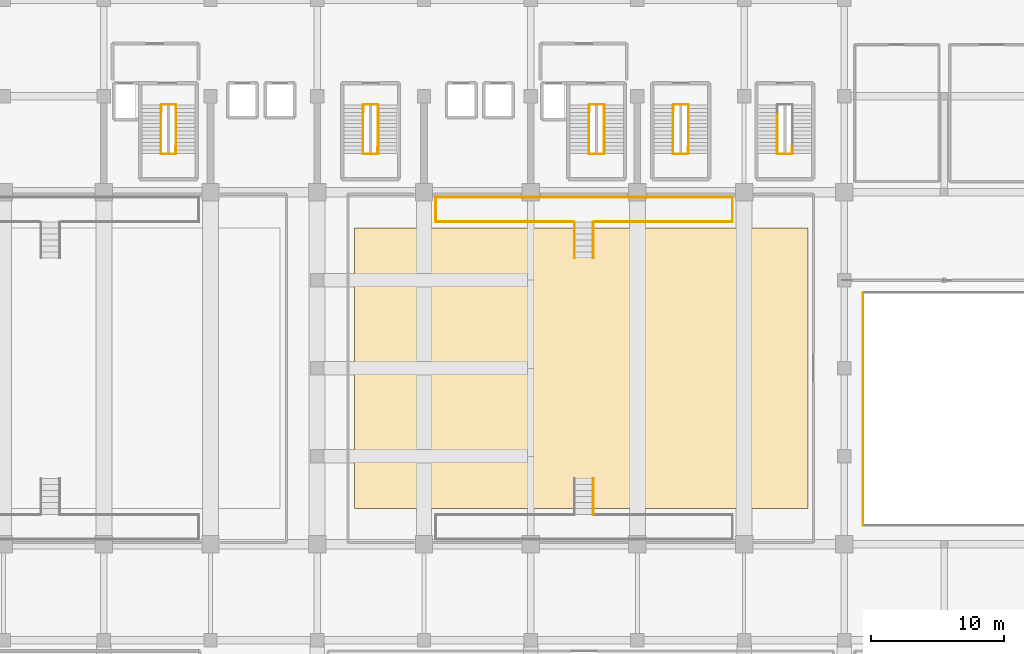
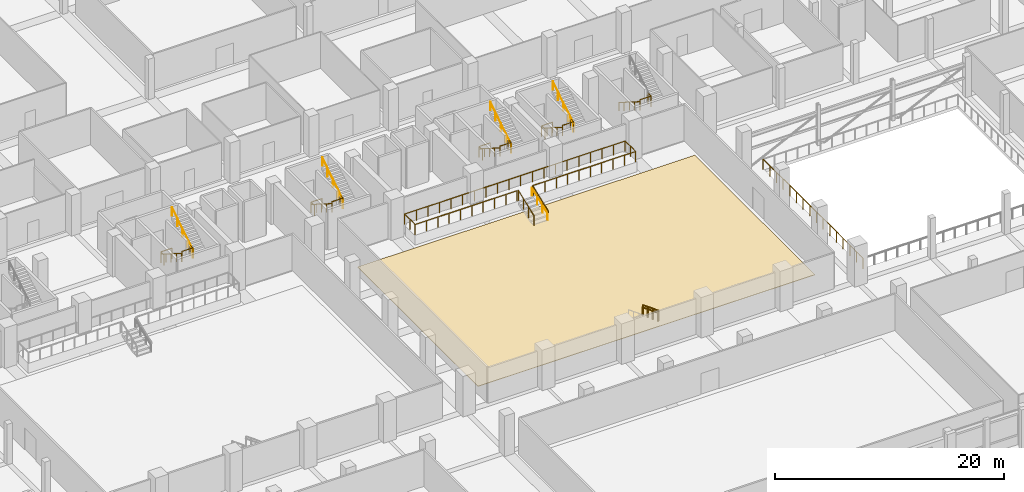
# One storey, part 61 of 68: 29 railings, 1 covering.
"""IFC4 building model written with IfcOpenShell, lengths in metres."""

import ifcopenshell
import ifcopenshell.guid

model = None  # the IFC model being written
_history = None  # IfcOwnerHistory: only IFC2X3 demands one
_inside = {}  # id of a spatial element -> (the spatial element, [elements in it])
_under = {}  # id of a project, library or spatial element -> (it, [spatial elements below it])
_declared = {}  # id of a project -> (the project, [libraries it declares])
_typed = {}  # id of a type object -> (the type object, [elements of that type])
_made_of = {}  # id of a material, layer set ... -> (it, [elements and type objects made of it])


def new_model(schema):
    """Start an empty IFC model of exactly this schema.

    Asked for "IFC4X3", IfcOpenShell would pick the latest addendum, in which some entities
    have other attributes; the version numbers below select the first issue.
    IFC2X3 requires an IfcOwnerHistory on every rooted entity: one is made here for all.
    """
    global model, _history
    if schema == "IFC4X3":
        model = ifcopenshell.file(schema_version=(4, 3, 0, 0))
    else:
        model = ifcopenshell.file(schema=schema)
    _inside.clear()
    _under.clear()
    _declared.clear()
    _typed.clear()
    _made_of.clear()
    _history = None
    if model.schema == "IFC2X3":
        org = make("IfcOrganization", Name="unknown")
        user = make(
            "IfcPersonAndOrganization",
            ThePerson=make("IfcPerson", FamilyName="unknown"),
            TheOrganization=org,
        )
        app = make(
            "IfcApplication",
            ApplicationDeveloper=org,
            Version="unknown",
            ApplicationFullName="unknown",
            ApplicationIdentifier="unknown",
        )
        _history = make(
            "IfcOwnerHistory",
            OwningUser=user,
            OwningApplication=app,
            ChangeAction="ADDED",
            CreationDate=0,
        )
    return model


def make(cls, **values):
    """One entity of the class cls with the attributes given. An attribute that is None is left unset."""
    return model.create_entity(
        cls, **{name: value for name, value in values.items() if value is not None}
    )


def rooted(cls, **values):
    """An entity with a GlobalId (a new one), such as an element, a storey or a relation."""
    return make(cls, GlobalId=ifcopenshell.guid.new(), OwnerHistory=_history, **values)


def si_unit(unit_type, name, prefix=None):
    """IfcSIUnit, for example si_unit("LENGTHUNIT", "METRE", prefix="MILLI")."""
    return make("IfcSIUnit", UnitType=unit_type, Prefix=prefix, Name=name)


def assignment(units):
    """IfcUnitAssignment: the units of a project."""
    return None if units is None else make("IfcUnitAssignment", Units=units)


def point(xyz):
    """IfcCartesianPoint."""
    return None if xyz is None else make("IfcCartesianPoint", Coordinates=xyz)


def direction(xyz):
    """IfcDirection."""
    return None if xyz is None else make("IfcDirection", DirectionRatios=xyz)


def frame(location, z_axis=None, x_axis=None):
    """IfcAxis2Placement3D, a coordinate frame: its origin and axes. An axis left out is left unset."""
    return make(
        "IfcAxis2Placement3D",
        Location=point(location),
        Axis=direction(z_axis),
        RefDirection=direction(x_axis),
    )


def frame_2d(location, x_axis=None):
    """IfcAxis2Placement2D, a coordinate frame in the plane: its origin and x axis."""
    return make(
        "IfcAxis2Placement2D", Location=point(location), RefDirection=direction(x_axis)
    )


def origin():
    """The frame at (0, 0, 0) with its axes left unset."""
    return frame((0.0, 0.0, 0.0))


def origin_2d():
    """The frame at (0, 0) in the plane with its x axis left unset."""
    return frame_2d((0.0, 0.0))


def place(relative_to, where):
    """IfcLocalPlacement: puts the frame where relative to a parent placement (None: the world)."""
    return make(
        "IfcLocalPlacement", PlacementRelTo=relative_to, RelativePlacement=where
    )


def context(
    kind, dimensions, precision=None, world=None, true_north=None, identifier=None
):
    """IfcGeometricRepresentationContext, for example the 3D "Model" context."""
    return make(
        "IfcGeometricRepresentationContext",
        ContextIdentifier=identifier,
        ContextType=kind,
        CoordinateSpaceDimension=dimensions,
        Precision=precision,
        WorldCoordinateSystem=world,
        TrueNorth=true_north,
    )


def subcontext(parent, identifier, kind, view, scale=None):
    """IfcGeometricRepresentationSubContext, for example "Body" below "Model"."""
    return make(
        "IfcGeometricRepresentationSubContext",
        ContextIdentifier=identifier,
        ContextType=kind,
        ParentContext=parent,
        TargetScale=scale,
        TargetView=view,
    )


def project(units=None, contexts=None):
    """IfcProject with its units and contexts."""
    return rooted(
        "IfcProject",
        Name="project",
        RepresentationContexts=contexts,
        UnitsInContext=assignment(units),
    )


def spatial(cls, under=None, at=None, **own):
    """A site, building, storey or space (cls), placed at a placement, below another one or the project."""
    s = rooted(cls, ObjectPlacement=at, **own)
    if under is not None:
        _under.setdefault(under.id(), (under, []))[1].append(s)
    return s


def profile(cls, at=None, kind="AREA", **sizes):
    """A parametric profile (cls). Its sizes go by their IFC names, for example OverallWidth=200.0."""
    return make(cls, ProfileType=kind, Position=at, **sizes)


def rectangle(**sizes):
    """IfcRectangleProfileDef."""
    return profile("IfcRectangleProfileDef", **sizes)


def circle(**sizes):
    """IfcCircleProfileDef."""
    return profile("IfcCircleProfileDef", **sizes)


def extrude(swept, where, along, depth):
    """IfcExtrudedAreaSolid: the profile swept, set in the frame where, extruded along a direction by depth."""
    return make(
        "IfcExtrudedAreaSolid",
        SweptArea=swept,
        Position=where,
        ExtrudedDirection=direction(along),
        Depth=depth,
    )


def shape(context_of_items, identifier, shape_type, items):
    """IfcShapeRepresentation: the items that make up one representation, for example the "Body"."""
    return make(
        "IfcShapeRepresentation",
        ContextOfItems=context_of_items,
        RepresentationIdentifier=identifier,
        RepresentationType=shape_type,
        Items=items,
    )


def material(Name=None, Category=None):
    """IfcMaterial."""
    return make("IfcMaterial", Name=Name, Category=Category)


def layer(
    of_material, thickness, ventilated=None, Name=None, Category=None, Priority=None
):
    """IfcMaterialLayer: one layer of a wall or slab, of a material (None: an air gap)."""
    return make(
        "IfcMaterialLayer",
        Material=of_material,
        LayerThickness=thickness,
        IsVentilated=ventilated,
        Name=Name,
        Category=Category,
        Priority=Priority,
    )


def layer_set(layers, Name=None):
    """IfcMaterialLayerSet."""
    return make("IfcMaterialLayerSet", MaterialLayers=layers, LayerSetName=Name)


def made_of(thing, what):
    """Note that an element or type object is made of a material, layer set ...; save() writes the relation."""
    if what is not None:
        _made_of.setdefault(what.id(), (what, []))[1].append(thing)
    return thing


def type_object(cls, material=None, **own):
    """A type object (cls), such as IfcWallType, which elements share."""
    return made_of(rooted(cls, **own), material)


def element(
    cls,
    number,
    at=None,
    inside=None,
    cuts=None,
    type_object=None,
    material=None,
    context=None,
    identifier="Body",
    shape_type=None,
    held_by="IfcProductDefinitionShape",
    body=None,
    shapes=None,
    **own,
):
    """One element of the class cls, such as IfcWall. Its Tag is "e" and its number.

    at: its placement. inside: the storey or other place that contains it. cuts: it is an
    opening in that element (IfcRelVoidsElement). A single representation is given by context,
    identifier, shape_type and body (its items); several are given by shapes. held_by: the class
    of the entity that holds the representations. save() writes the other relations.
    """
    e = rooted(cls, Tag="e%d" % number, ObjectPlacement=at, **own)
    if body is not None:
        shapes = [shape(context, identifier, shape_type, body)]
    if shapes is not None:
        e.Representation = make(held_by, Representations=shapes)
    if inside is not None:
        _inside.setdefault(inside.id(), (inside, []))[1].append(e)
    if cuts is not None:
        rooted(
            "IfcRelVoidsElement", RelatingBuildingElement=cuts, RelatedOpeningElement=e
        )
    if type_object is not None:
        _typed.setdefault(type_object.id(), (type_object, []))[1].append(e)
    return made_of(e, material)


def aggregate(whole, parts):
    """IfcRelAggregates: a whole, such as a stair, and the parts it consists of."""
    return rooted("IfcRelAggregates", RelatingObject=whole, RelatedObjects=parts)


def save(model, path):
    """Write the relations noted so far, then the file.

    IfcRelAggregates (storeys below a building ...), IfcRelContainedInSpatialStructure (elements
    in a storey), IfcRelDefinesByType, IfcRelAssociatesMaterial and IfcRelDeclares: one each for
    every whole, place, type object, material and project.
    """
    for whole, parts in _under.values():
        aggregate(whole, parts)
    for where, things in _inside.values():
        rooted(
            "IfcRelContainedInSpatialStructure",
            RelatedElements=things,
            RelatingStructure=where,
        )
    for kind, things in _typed.values():
        rooted("IfcRelDefinesByType", RelatedObjects=things, RelatingType=kind)
    for what, things in _made_of.values():
        rooted("IfcRelAssociatesMaterial", RelatedObjects=things, RelatingMaterial=what)
    for by, libraries in _declared.values():
        rooted("IfcRelDeclares", RelatingContext=by, RelatedDefinitions=libraries)
    model.write(path)


model = new_model("IFC4")

# Units and contexts
model_context = context("Model", 3, precision=1e-05, world=origin(), true_north=direction((0.0, 1.0)))
body_context = subcontext(model_context, "Body", "Model", "MODEL_VIEW")
ifc_project = project(units=[si_unit("LENGTHUNIT", "METRE"), si_unit("AREAUNIT", "SQUARE_METRE"), si_unit("VOLUMEUNIT", "CUBIC_METRE"), si_unit("PLANEANGLEUNIT", "RADIAN"), si_unit("MASSUNIT", "GRAM", prefix="KILO")], contexts=[model_context])

# Site, building, storey
site_placement = place(None, origin())
site = spatial("IfcSite", under=ifc_project, at=site_placement, CompositionType="ELEMENT")
building_placement = place(site_placement, origin())
building = spatial("IfcBuilding", under=site, at=building_placement, Name="Akrevak Sports Hall", CompositionType="ELEMENT")
storey_placement = place(building_placement, frame((0.0, 0.0, 9.39990234375)))
storey = spatial("IfcBuildingStorey", under=building, at=storey_placement, Name="L02", CompositionType="ELEMENT", Elevation=9.39990234375)

# Covering
ifc_material_1 = material(Name="Sprung Hard Maple Sports Flooring", Category="wood")
ifc_layer_1 = layer(ifc_material_1, 0.044921875, Name="Sprung Hard Maple Sports Flooring")
ifc_layer_set_1 = layer_set([ifc_layer_1], Name="Sprung Hard Maple Sports Flooring")
covering_type = type_object("IfcCoveringType", Name="ARC-COV-FLR-MAPLE", PredefinedType="FLOORING", material=ifc_layer_set_1)
covering_placement = place(storey_placement, frame((95.800048828125, 42.0, 0.000244140625), z_axis=(0.0, 0.0, 1.0), x_axis=(1.0, 0.0, 0.0)))
element("IfcCovering", 1, at=covering_placement, inside=storey, type_object=covering_type, Name="FIVB Volleyball Sprung Maple Court Floor", PredefinedType="FLOORING", context=body_context, shape_type="SweptSolid", body=[
    extrude(rectangle(XDim=34.0, YDim=21.0, at=origin_2d()), origin(), (0.0, 0.0, 1.0), 0.044921875),
])

# Railings
ifc_material_2 = material(Name="Painted Architectural Balustrade Steel", Category="steel")
ifc_layer_2 = layer(ifc_material_2, 0.06005859375, Name="Painted Architectural Balustrade Steel")
ifc_layer_set_2 = layer_set([ifc_layer_2], Name="Painted Architectural Balustrade Steel")
railing_type_1 = type_object("IfcRailingType", Name="ARC-RL-GRD-1120", PredefinedType="GUARDRAIL", material=ifc_layer_set_2)
railing_1_placement = place(storey_placement, frame((64.31005859375, 61.215087890625, 0.0)))
element("IfcRailing", 2, at=railing_1_placement, inside=storey, type_object=railing_type_1, Name="Stair Floor Landing Well Guard ST1 (L02)", PredefinedType="GUARDRAIL", context=body_context, shape_type="SweptSolid", body=[
    extrude(circle(Radius=0.02392578125, at=origin_2d()), frame((0.0, 0.0, 1.09619140625), z_axis=(0.0, 1.0, 0.0), x_axis=(-1.0, 0.0, 0.0)), (0.0, 0.0, 1.0), 0.5498046875),
    extrude(circle(Radius=0.02392578125, at=origin_2d()), frame((0.0, 0.5498046875, 1.09619140625), z_axis=(1.0, 0.0, 0.0), x_axis=(0.0, 1.0, 0.0)), (0.0, 0.0, 1.0), 1.10986328125),
    extrude(circle(Radius=0.02099609375, at=origin_2d()), origin(), (0.0, 0.0, 1.0), 1.072021484375),
    extrude(circle(Radius=0.02099609375, at=origin_2d()), frame((0.0, 0.5498046875, 0.0)), (0.0, 0.0, 1.0), 1.072021484375),
    extrude(circle(Radius=0.02099609375, at=origin_2d()), frame((1.10986328125, 0.5498046875, 0.0)), (0.0, 0.0, 1.0), 1.072021484375),
])
railing_2_placement = place(storey_placement, frame((64.280029296875, 58.06494140625, 2.300048828125)))
element("IfcRailing", 3, at=railing_2_placement, inside=storey, type_object=railing_type_1, Name="Stair Landing Well Guard ST1-L02-1", PredefinedType="GUARDRAIL", context=body_context, shape_type="SweptSolid", body=[
    extrude(circle(Radius=0.02392578125, at=origin_2d()), frame((0.0, 0.0, 1.09619140625), z_axis=(1.0, 0.0, 0.0), x_axis=(0.0, 1.0, 0.0)), (0.0, 0.0, 1.0), 1.10986328125),
    extrude(circle(Radius=0.02392578125, at=origin_2d()), frame((1.10986328125, 0.0, 1.09619140625), z_axis=(0.0, 1.0, 0.0), x_axis=(-1.0, 0.0, 0.0)), (0.0, 0.0, 1.0), 0.52001953125),
    extrude(circle(Radius=0.02099609375, at=origin_2d()), origin(), (0.0, 0.0, 1.0), 1.072021484375),
    extrude(circle(Radius=0.02099609375, at=origin_2d()), frame((1.10986328125, 0.0, 0.0)), (0.0, 0.0, 1.0), 1.072021484375),
    extrude(circle(Radius=0.02099609375, at=origin_2d()), frame((1.10986328125, 0.52001953125, 0.0)), (0.0, 0.0, 1.0), 1.072021484375),
])
railing_3_placement = place(storey_placement, frame((96.409912109375, 61.215087890625, 0.0)))
element("IfcRailing", 4, at=railing_3_placement, inside=storey, type_object=railing_type_1, Name="Stair Floor Landing Well Guard ST2 (L02)", PredefinedType="GUARDRAIL", context=body_context, shape_type="SweptSolid", body=[
    extrude(circle(Radius=0.02392578125, at=origin_2d()), frame((0.0, 0.0, 1.09619140625), z_axis=(0.0, 1.0, 0.0), x_axis=(-1.0, 0.0, 0.0)), (0.0, 0.0, 1.0), 0.5498046875),
    extrude(circle(Radius=0.02392578125, at=origin_2d()), frame((0.0, 0.5498046875, 1.09619140625), z_axis=(1.0, 0.0, 0.0), x_axis=(0.0, 1.0, 0.0)), (0.0, 0.0, 1.0), 1.110107421875),
    extrude(circle(Radius=0.02099609375, at=origin_2d()), origin(), (0.0, 0.0, 1.0), 1.072021484375),
    extrude(circle(Radius=0.02099609375, at=origin_2d()), frame((0.0, 0.5498046875, 0.0)), (0.0, 0.0, 1.0), 1.072021484375),
    extrude(circle(Radius=0.02099609375, at=origin_2d()), frame((1.110107421875, 0.5498046875, 0.0)), (0.0, 0.0, 1.0), 1.072021484375),
])
railing_4_placement = place(storey_placement, frame((96.3798828125, 58.06494140625, 2.300048828125)))
element("IfcRailing", 5, at=railing_4_placement, inside=storey, type_object=railing_type_1, Name="Stair Landing Well Guard ST2-L02-1", PredefinedType="GUARDRAIL", context=body_context, shape_type="SweptSolid", body=[
    extrude(circle(Radius=0.02392578125, at=origin_2d()), frame((0.0, 0.0, 1.09619140625), z_axis=(1.0, 0.0, 0.0), x_axis=(0.0, 1.0, 0.0)), (0.0, 0.0, 1.0), 1.110107421875),
    extrude(circle(Radius=0.02392578125, at=origin_2d()), frame((1.110107421875, 0.0, 1.09619140625), z_axis=(0.0, 1.0, 0.0), x_axis=(-1.0, 0.0, 0.0)), (0.0, 0.0, 1.0), 0.52001953125),
    extrude(circle(Radius=0.02099609375, at=origin_2d()), origin(), (0.0, 0.0, 1.0), 1.072021484375),
    extrude(circle(Radius=0.02099609375, at=origin_2d()), frame((1.110107421875, 0.0, 0.0)), (0.0, 0.0, 1.0), 1.072021484375),
    extrude(circle(Radius=0.02099609375, at=origin_2d()), frame((1.110107421875, 0.52001953125, 0.0)), (0.0, 0.0, 1.0), 1.072021484375),
])
railing_5_placement = place(storey_placement, frame((79.4599609375, 61.215087890625, 0.0)))
element("IfcRailing", 6, at=railing_5_placement, inside=storey, type_object=railing_type_1, Name="Stair Floor Landing Well Guard ST3 (L02)", PredefinedType="GUARDRAIL", context=body_context, shape_type="SweptSolid", body=[
    extrude(circle(Radius=0.02392578125, at=origin_2d()), frame((0.0, 0.0, 1.09619140625), z_axis=(0.0, 1.0, 0.0), x_axis=(-1.0, 0.0, 0.0)), (0.0, 0.0, 1.0), 0.5498046875),
    extrude(circle(Radius=0.02392578125, at=origin_2d()), frame((0.0, 0.5498046875, 1.09619140625), z_axis=(1.0, 0.0, 0.0), x_axis=(0.0, 1.0, 0.0)), (0.0, 0.0, 1.0), 1.110107421875),
    extrude(circle(Radius=0.02099609375, at=origin_2d()), origin(), (0.0, 0.0, 1.0), 1.072021484375),
    extrude(circle(Radius=0.02099609375, at=origin_2d()), frame((0.0, 0.5498046875, 0.0)), (0.0, 0.0, 1.0), 1.072021484375),
    extrude(circle(Radius=0.02099609375, at=origin_2d()), frame((1.110107421875, 0.5498046875, 0.0)), (0.0, 0.0, 1.0), 1.072021484375),
])
railing_6_placement = place(storey_placement, frame((79.429931640625, 58.06494140625, 2.300048828125)))
element("IfcRailing", 7, at=railing_6_placement, inside=storey, type_object=railing_type_1, Name="Stair Landing Well Guard ST3-L02-1", PredefinedType="GUARDRAIL", context=body_context, shape_type="SweptSolid", body=[
    extrude(circle(Radius=0.02392578125, at=origin_2d()), frame((0.0, 0.0, 1.09619140625), z_axis=(1.0, 0.0, 0.0), x_axis=(0.0, 1.0, 0.0)), (0.0, 0.0, 1.0), 1.110107421875),
    extrude(circle(Radius=0.02392578125, at=origin_2d()), frame((1.110107421875, 0.0, 1.09619140625), z_axis=(0.0, 1.0, 0.0), x_axis=(-1.0, 0.0, 0.0)), (0.0, 0.0, 1.0), 0.52001953125),
    extrude(circle(Radius=0.02099609375, at=origin_2d()), origin(), (0.0, 0.0, 1.0), 1.072021484375),
    extrude(circle(Radius=0.02099609375, at=origin_2d()), frame((1.110107421875, 0.0, 0.0)), (0.0, 0.0, 1.0), 1.072021484375),
    extrude(circle(Radius=0.02099609375, at=origin_2d()), frame((1.110107421875, 0.52001953125, 0.0)), (0.0, 0.0, 1.0), 1.072021484375),
])
railing_7_placement = place(storey_placement, frame((102.7099609375, 61.215087890625, 0.0)))
element("IfcRailing", 8, at=railing_7_placement, inside=storey, type_object=railing_type_1, Name="Stair Floor Landing Well Guard ST10 (L02)", PredefinedType="GUARDRAIL", context=body_context, shape_type="SweptSolid", body=[
    extrude(circle(Radius=0.02392578125, at=origin_2d()), frame((0.0, 0.0, 1.09619140625), z_axis=(0.0, 1.0, 0.0), x_axis=(-1.0, 0.0, 0.0)), (0.0, 0.0, 1.0), 0.5498046875),
    extrude(circle(Radius=0.02392578125, at=origin_2d()), frame((0.0, 0.5498046875, 1.09619140625), z_axis=(1.0, 0.0, 0.0), x_axis=(0.0, 1.0, 0.0)), (0.0, 0.0, 1.0), 1.110107421875),
    extrude(circle(Radius=0.02099609375, at=origin_2d()), origin(), (0.0, 0.0, 1.0), 1.072021484375),
    extrude(circle(Radius=0.02099609375, at=origin_2d()), frame((0.0, 0.5498046875, 0.0)), (0.0, 0.0, 1.0), 1.072021484375),
    extrude(circle(Radius=0.02099609375, at=origin_2d()), frame((1.110107421875, 0.5498046875, 0.0)), (0.0, 0.0, 1.0), 1.072021484375),
])
for number, where, name in (
    (9, (102.679931640625, 58.06494140625, 2.300048828125), "Stair Landing Well Guard ST10-L02-1"),
    (10, (110.47998046875, 58.06494140625, 2.300048828125), "Stair Landing Well Guard ST11-L02-1"),
):
    element("IfcRailing", number, at=place(storey_placement, frame(where)), inside=storey, type_object=railing_type_1, Name=name, PredefinedType="GUARDRAIL", context=body_context, shape_type="SweptSolid", body=[
        extrude(circle(Radius=0.02392578125, at=origin_2d()), frame((0.0, 0.0, 1.09619140625), z_axis=(1.0, 0.0, 0.0), x_axis=(0.0, 1.0, 0.0)), (0.0, 0.0, 1.0), 1.110107421875),
        extrude(circle(Radius=0.02392578125, at=origin_2d()), frame((1.110107421875, 0.0, 1.09619140625), z_axis=(0.0, 1.0, 0.0), x_axis=(-1.0, 0.0, 0.0)), (0.0, 0.0, 1.0), 0.52001953125),
        extrude(circle(Radius=0.02099609375, at=origin_2d()), origin(), (0.0, 0.0, 1.0), 1.072021484375),
        extrude(circle(Radius=0.02099609375, at=origin_2d()), frame((1.110107421875, 0.0, 0.0)), (0.0, 0.0, 1.0), 1.072021484375),
        extrude(circle(Radius=0.02099609375, at=origin_2d()), frame((1.110107421875, 0.52001953125, 0.0)), (0.0, 0.0, 1.0), 1.072021484375),
    ])
railing_8_placement = place(storey_placement, frame((96.719970703125, 33.719970703125, 0.0)))
element("IfcRailing", 11, at=railing_8_placement, inside=storey, type_object=railing_type_1, Name="Volleyball South Stand Gangway 7 Side Guardrail R", PredefinedType="GUARDRAIL", context=body_context, shape_type="SweptSolid", body=[
    extrude(circle(Radius=0.02392578125, at=origin_2d()), frame((0.0, 0.0, 1.09619140625), z_axis=(0.0, -0.931996763482, 0.362466595509), x_axis=(1.0, 0.0, 0.0)), (0.0, 0.0, 1.0), 2.89697265625),
    extrude(circle(Radius=0.02099609375, at=origin_2d()), origin(), (0.0, 0.0, 1.0), 1.072021484375),
    extrude(circle(Radius=0.02099609375, at=origin_2d()), frame((0.0, -0.89990234375, 0.35009765625)), (0.0, 0.0, 1.0), 1.072021484375),
    extrude(circle(Radius=0.02099609375, at=origin_2d()), frame((0.0, -1.800048828125, 0.699951171875)), (0.0, 0.0, 1.0), 1.072021484375),
    extrude(circle(Radius=0.02099609375, at=origin_2d()), frame((0.0, -2.699951171875, 1.050048828125)), (0.0, 0.0, 1.0), 1.072021484375),
])
for number, where, name in (
    (12, (95.280029296875, 50.280029296875, 0.0), "Volleyball North Stand Gangway 8 Side Guardrail L"),
    (13, (96.719970703125, 50.280029296875, 0.0), "Volleyball North Stand Gangway 8 Side Guardrail R"),
):
    element("IfcRailing", number, at=place(storey_placement, frame(where)), inside=storey, type_object=railing_type_1, Name=name, PredefinedType="GUARDRAIL", context=body_context, shape_type="SweptSolid", body=[
        extrude(circle(Radius=0.02392578125, at=origin_2d()), frame((0.0, 0.0, 1.09619140625), z_axis=(0.0, 0.931996763482, 0.362466595509), x_axis=(-1.0, 0.0, 0.0)), (0.0, 0.0, 1.0), 2.89697265625),
        extrude(circle(Radius=0.02099609375, at=origin_2d()), origin(), (0.0, 0.0, 1.0), 1.072021484375),
        extrude(circle(Radius=0.02099609375, at=origin_2d()), frame((0.0, 0.89990234375, 0.35009765625)), (0.0, 0.0, 1.0), 1.072021484375),
        extrude(circle(Radius=0.02099609375, at=origin_2d()), frame((0.0, 1.800048828125, 0.699951171875)), (0.0, 0.0, 1.0), 1.072021484375),
        extrude(circle(Radius=0.02099609375, at=origin_2d()), frame((0.0, 2.699951171875, 1.050048828125)), (0.0, 0.0, 1.0), 1.072021484375),
    ])
railing_9_placement = place(storey_placement, frame((84.8798828125, 54.820068359375, 1.050048828125)))
element("IfcRailing", 14, at=railing_9_placement, inside=storey, type_object=railing_type_1, Name="Spectator Stand Crowd Barrier VB-N1-BACK", PredefinedType="GUARDRAIL", context=body_context, shape_type="SweptSolid", body=[
    extrude(circle(Radius=0.02392578125, at=origin_2d()), frame((0.0, 0.0, 1.09619140625), z_axis=(1.0, 0.0, 0.0), x_axis=(0.0, 1.0, 0.0)), (0.0, 0.0, 1.0), 22.240234375),
    extrude(circle(Radius=0.02099609375, at=origin_2d()), origin(), (0.0, 0.0, 1.0), 1.072021484375),
    extrude(circle(Radius=0.02099609375, at=origin_2d()), frame((1.170654296875, 0.0, 0.0)), (0.0, 0.0, 1.0), 1.072021484375),
    extrude(circle(Radius=0.02099609375, at=origin_2d()), frame((2.341064453125, 0.0, 0.0)), (0.0, 0.0, 1.0), 1.072021484375),
    extrude(circle(Radius=0.02099609375, at=origin_2d()), frame((3.51171875, 0.0, 0.0)), (0.0, 0.0, 1.0), 1.072021484375),
    extrude(circle(Radius=0.02099609375, at=origin_2d()), frame((4.68212890625, 0.0, 0.0)), (0.0, 0.0, 1.0), 1.072021484375),
    extrude(circle(Radius=0.02099609375, at=origin_2d()), frame((5.852783203125, 0.0, 0.0)), (0.0, 0.0, 1.0), 1.072021484375),
    extrude(circle(Radius=0.02099609375, at=origin_2d()), frame((7.023193359375, 0.0, 0.0)), (0.0, 0.0, 1.0), 1.072021484375),
    extrude(circle(Radius=0.02099609375, at=origin_2d()), frame((8.19384765625, 0.0, 0.0)), (0.0, 0.0, 1.0), 1.072021484375),
    extrude(circle(Radius=0.02099609375, at=origin_2d()), frame((9.3642578125, 0.0, 0.0)), (0.0, 0.0, 1.0), 1.072021484375),
    extrude(circle(Radius=0.02099609375, at=origin_2d()), frame((10.534912109375, 0.0, 0.0)), (0.0, 0.0, 1.0), 1.072021484375),
    extrude(circle(Radius=0.02099609375, at=origin_2d()), frame((11.705322265625, 0.0, 0.0)), (0.0, 0.0, 1.0), 1.072021484375),
    extrude(circle(Radius=0.02099609375, at=origin_2d()), frame((12.8759765625, 0.0, 0.0)), (0.0, 0.0, 1.0), 1.072021484375),
    extrude(circle(Radius=0.02099609375, at=origin_2d()), frame((14.04638671875, 0.0, 0.0)), (0.0, 0.0, 1.0), 1.072021484375),
    extrude(circle(Radius=0.02099609375, at=origin_2d()), frame((15.217041015625, 0.0, 0.0)), (0.0, 0.0, 1.0), 1.072021484375),
    extrude(circle(Radius=0.02099609375, at=origin_2d()), frame((16.387451171875, 0.0, 0.0)), (0.0, 0.0, 1.0), 1.072021484375),
    extrude(circle(Radius=0.02099609375, at=origin_2d()), frame((17.55810546875, 0.0, 0.0)), (0.0, 0.0, 1.0), 1.072021484375),
    extrude(circle(Radius=0.02099609375, at=origin_2d()), frame((18.728515625, 0.0, 0.0)), (0.0, 0.0, 1.0), 1.072021484375),
    extrude(circle(Radius=0.02099609375, at=origin_2d()), frame((19.899169921875, 0.0, 0.0)), (0.0, 0.0, 1.0), 1.072021484375),
    extrude(circle(Radius=0.02099609375, at=origin_2d()), frame((21.069580078125, 0.0, 0.0)), (0.0, 0.0, 1.0), 1.072021484375),
    extrude(circle(Radius=0.02099609375, at=origin_2d()), frame((22.240234375, 0.0, 0.0)), (0.0, 0.0, 1.0), 1.072021484375),
])
for number, where, name in (
    (15, (84.8798828125, 52.97998046875, 1.050048828125), "Spectator Stand Crowd Barrier VB-N1-W"),
    (16, (107.1201171875, 52.97998046875, 1.050048828125), "Spectator Stand Crowd Barrier VB-N1-E"),
):
    element("IfcRailing", number, at=place(storey_placement, frame(where)), inside=storey, type_object=railing_type_1, Name=name, PredefinedType="GUARDRAIL", context=body_context, shape_type="SweptSolid", body=[
        extrude(circle(Radius=0.02392578125, at=origin_2d()), frame((0.0, 0.0, 1.09619140625), z_axis=(0.0, 1.0, 0.0), x_axis=(-1.0, 0.0, 0.0)), (0.0, 0.0, 1.0), 1.840087890625),
        extrude(circle(Radius=0.02099609375, at=origin_2d()), origin(), (0.0, 0.0, 1.0), 1.072021484375),
        extrude(circle(Radius=0.02099609375, at=origin_2d()), frame((0.0, 0.919921875, 0.0)), (0.0, 0.0, 1.0), 1.072021484375),
        extrude(circle(Radius=0.02099609375, at=origin_2d()), frame((0.0, 1.840087890625, 0.0)), (0.0, 0.0, 1.0), 1.072021484375),
    ])
for number, where, name in (
    (17, (84.8798828125, 52.97998046875, 1.050048828125), "Spectator Stand Crowd Barrier VB-N1-FR-L"),
    (18, (96.830078125, 52.97998046875, 1.050048828125), "Spectator Stand Crowd Barrier VB-N1-FR-R"),
):
    element("IfcRailing", number, at=place(storey_placement, frame(where)), inside=storey, type_object=railing_type_1, Name=name, PredefinedType="GUARDRAIL", context=body_context, shape_type="SweptSolid", body=[
        extrude(circle(Radius=0.02392578125, at=origin_2d()), frame((0.0, 0.0, 1.09619140625), z_axis=(1.0, 0.0, 0.0), x_axis=(0.0, 1.0, 0.0)), (0.0, 0.0, 1.0), 10.2900390625),
        extrude(circle(Radius=0.02099609375, at=origin_2d()), origin(), (0.0, 0.0, 1.0), 1.072021484375),
        extrude(circle(Radius=0.02099609375, at=origin_2d()), frame((1.143310546875, 0.0, 0.0)), (0.0, 0.0, 1.0), 1.072021484375),
        extrude(circle(Radius=0.02099609375, at=origin_2d()), frame((2.28662109375, 0.0, 0.0)), (0.0, 0.0, 1.0), 1.072021484375),
        extrude(circle(Radius=0.02099609375, at=origin_2d()), frame((3.429931640625, 0.0, 0.0)), (0.0, 0.0, 1.0), 1.072021484375),
        extrude(circle(Radius=0.02099609375, at=origin_2d()), frame((4.5732421875, 0.0, 0.0)), (0.0, 0.0, 1.0), 1.072021484375),
        extrude(circle(Radius=0.02099609375, at=origin_2d()), frame((5.716796875, 0.0, 0.0)), (0.0, 0.0, 1.0), 1.072021484375),
        extrude(circle(Radius=0.02099609375, at=origin_2d()), frame((6.860107421875, 0.0, 0.0)), (0.0, 0.0, 1.0), 1.072021484375),
        extrude(circle(Radius=0.02099609375, at=origin_2d()), frame((8.00341796875, 0.0, 0.0)), (0.0, 0.0, 1.0), 1.072021484375),
        extrude(circle(Radius=0.02099609375, at=origin_2d()), frame((9.146728515625, 0.0, 0.0)), (0.0, 0.0, 1.0), 1.072021484375),
        extrude(circle(Radius=0.02099609375, at=origin_2d()), frame((10.2900390625, 0.0, 0.0)), (0.0, 0.0, 1.0), 1.072021484375),
    ])
ifc_material_3 = material(Name="Anodized Bronze Aluminium & Laminated Glass", Category="aluminium")
ifc_layer_3 = layer(ifc_material_3, 0.080078125, Name="Anodized Bronze Aluminium & Laminated Glass")
ifc_layer_set_3 = layer_set([ifc_layer_3], Name="Anodized Bronze Aluminium & Laminated Glass")
railing_type_2 = type_object("IfcRailingType", Name="ARC-RL-GRD-1150", PredefinedType="GUARDRAIL", material=ifc_layer_set_3)
railing_10_placement = place(storey_placement, frame((116.919921875, 47.679931640625, 0.0)))
element("IfcRailing", 19, at=railing_10_placement, inside=storey, type_object=railing_type_2, Name="Atrium/Arena Gallery Guardrail L02-CLM-W", PredefinedType="GUARDRAIL", context=body_context, shape_type="SweptSolid", body=[
    extrude(circle(Radius=0.02392578125, at=origin_2d()), frame((0.0, 0.0, 1.1259765625), z_axis=(0.0, -1.0, 0.0), x_axis=(1.0, 0.0, 0.0)), (0.0, 0.0, 1.0), 17.4599609375),
    extrude(circle(Radius=0.02099609375, at=origin_2d()), origin(), (0.0, 0.0, 1.0), 1.101806640625),
    extrude(circle(Radius=0.02099609375, at=origin_2d()), frame((0.0, -1.1640625, 0.0)), (0.0, 0.0, 1.0), 1.101806640625),
    extrude(circle(Radius=0.02099609375, at=origin_2d()), frame((0.0, -2.327880859375, 0.0)), (0.0, 0.0, 1.0), 1.101806640625),
    extrude(circle(Radius=0.02099609375, at=origin_2d()), frame((0.0, -3.491943359375, 0.0)), (0.0, 0.0, 1.0), 1.101806640625),
    extrude(circle(Radius=0.02099609375, at=origin_2d()), frame((0.0, -4.656005859375, 0.0)), (0.0, 0.0, 1.0), 1.101806640625),
    extrude(circle(Radius=0.02099609375, at=origin_2d()), frame((0.0, -5.820068359375, 0.0)), (0.0, 0.0, 1.0), 1.101806640625),
    extrude(circle(Radius=0.02099609375, at=origin_2d()), frame((0.0, -6.98388671875, 0.0)), (0.0, 0.0, 1.0), 1.101806640625),
    extrude(circle(Radius=0.02099609375, at=origin_2d()), frame((0.0, -8.14794921875, 0.0)), (0.0, 0.0, 1.0), 1.101806640625),
    extrude(circle(Radius=0.02099609375, at=origin_2d()), frame((0.0, -9.31201171875, 0.0)), (0.0, 0.0, 1.0), 1.101806640625),
    extrude(circle(Radius=0.02099609375, at=origin_2d()), frame((0.0, -10.47607421875, 0.0)), (0.0, 0.0, 1.0), 1.101806640625),
    extrude(circle(Radius=0.02099609375, at=origin_2d()), frame((0.0, -11.639892578125, 0.0)), (0.0, 0.0, 1.0), 1.101806640625),
    extrude(circle(Radius=0.02099609375, at=origin_2d()), frame((0.0, -12.803955078125, 0.0)), (0.0, 0.0, 1.0), 1.101806640625),
    extrude(circle(Radius=0.02099609375, at=origin_2d()), frame((0.0, -13.968017578125, 0.0)), (0.0, 0.0, 1.0), 1.101806640625),
    extrude(circle(Radius=0.02099609375, at=origin_2d()), frame((0.0, -15.132080078125, 0.0)), (0.0, 0.0, 1.0), 1.101806640625),
    extrude(circle(Radius=0.02099609375, at=origin_2d()), frame((0.0, -16.2958984375, 0.0)), (0.0, 0.0, 1.0), 1.101806640625),
    extrude(circle(Radius=0.02099609375, at=origin_2d()), frame((0.0, -17.4599609375, 0.0)), (0.0, 0.0, 1.0), 1.101806640625),
])
ifc_material_4 = material(Name="Brushed Stainless Steel 304", Category="steel")
ifc_layer_4 = layer(ifc_material_4, 0.050048828125, Name="Brushed Stainless Steel 304")
ifc_layer_set_4 = layer_set([ifc_layer_4], Name="Brushed Stainless Steel 304")
railing_type_3 = type_object("IfcRailingType", Name="ARC-RL-HND-900", PredefinedType="HANDRAIL", material=ifc_layer_set_4)
railing_11_placement = place(storey_placement, frame((64.280029296875, 61.735107421875, 0.0)))
element("IfcRailing", 20, at=railing_11_placement, inside=storey, type_object=railing_type_3, Name="Stair Handrail ST1-L02-F1", PredefinedType="HANDRAIL", context=body_context, shape_type="SweptSolid", body=[
    extrude(circle(Radius=0.02392578125, at=origin_2d()), frame((0.0, 0.0, 0.8759765625), z_axis=(0.0, -0.845382449256, 0.534161505998), x_axis=(1.0, 0.0, 0.0)), (0.0, 0.0, 1.0), 4.305908203125),
    extrude(circle(Radius=0.02099609375, at=origin_2d()), origin(), (0.0, 0.0, 1.0), 0.851806640625),
    extrude(circle(Radius=0.02099609375, at=origin_2d()), frame((0.0, -0.91015625, 0.574951171875)), (0.0, 0.0, 1.0), 0.851806640625),
    extrude(circle(Radius=0.02099609375, at=origin_2d()), frame((0.0, -1.820068359375, 1.14990234375)), (0.0, 0.0, 1.0), 0.851806640625),
    extrude(circle(Radius=0.02099609375, at=origin_2d()), frame((0.0, -2.72998046875, 1.72509765625)), (0.0, 0.0, 1.0), 0.851806640625),
    extrude(circle(Radius=0.02099609375, at=origin_2d()), frame((0.0, -3.64013671875, 2.300048828125)), (0.0, 0.0, 1.0), 0.851806640625),
])
railing_12_placement = place(storey_placement, frame((65.419921875, 58.094970703125, 2.300048828125)))
element("IfcRailing", 21, at=railing_12_placement, inside=storey, type_object=railing_type_3, Name="Stair Handrail ST1-L02-F2", PredefinedType="HANDRAIL", context=body_context, shape_type="SweptSolid", body=[
    extrude(circle(Radius=0.02392578125, at=origin_2d()), frame((0.0, 0.0, 0.8759765625), z_axis=(0.0, 0.845382449256, 0.534161505998), x_axis=(-1.0, 0.0, 0.0)), (0.0, 0.0, 1.0), 4.305908203125),
    extrude(circle(Radius=0.02099609375, at=origin_2d()), origin(), (0.0, 0.0, 1.0), 0.851806640625),
    extrude(circle(Radius=0.02099609375, at=origin_2d()), frame((0.0, 0.91015625, 0.574951171875)), (0.0, 0.0, 1.0), 0.851806640625),
    extrude(circle(Radius=0.02099609375, at=origin_2d()), frame((0.0, 1.820068359375, 1.14990234375)), (0.0, 0.0, 1.0), 0.851806640625),
    extrude(circle(Radius=0.02099609375, at=origin_2d()), frame((0.0, 2.72998046875, 1.72509765625)), (0.0, 0.0, 1.0), 0.851806640625),
    extrude(circle(Radius=0.02099609375, at=origin_2d()), frame((0.0, 3.64013671875, 2.300048828125)), (0.0, 0.0, 1.0), 0.851806640625),
])
railing_13_placement = place(storey_placement, frame((96.3798828125, 61.735107421875, 0.0)))
element("IfcRailing", 22, at=railing_13_placement, inside=storey, type_object=railing_type_3, Name="Stair Handrail ST2-L02-F1", PredefinedType="HANDRAIL", context=body_context, shape_type="SweptSolid", body=[
    extrude(circle(Radius=0.02392578125, at=origin_2d()), frame((0.0, 0.0, 0.8759765625), z_axis=(0.0, -0.845382449256, 0.534161505998), x_axis=(1.0, 0.0, 0.0)), (0.0, 0.0, 1.0), 4.305908203125),
    extrude(circle(Radius=0.02099609375, at=origin_2d()), origin(), (0.0, 0.0, 1.0), 0.851806640625),
    extrude(circle(Radius=0.02099609375, at=origin_2d()), frame((0.0, -0.91015625, 0.574951171875)), (0.0, 0.0, 1.0), 0.851806640625),
    extrude(circle(Radius=0.02099609375, at=origin_2d()), frame((0.0, -1.820068359375, 1.14990234375)), (0.0, 0.0, 1.0), 0.851806640625),
    extrude(circle(Radius=0.02099609375, at=origin_2d()), frame((0.0, -2.72998046875, 1.72509765625)), (0.0, 0.0, 1.0), 0.851806640625),
    extrude(circle(Radius=0.02099609375, at=origin_2d()), frame((0.0, -3.64013671875, 2.300048828125)), (0.0, 0.0, 1.0), 0.851806640625),
])
railing_14_placement = place(storey_placement, frame((97.52001953125, 58.094970703125, 2.300048828125)))
element("IfcRailing", 23, at=railing_14_placement, inside=storey, type_object=railing_type_3, Name="Stair Handrail ST2-L02-F2", PredefinedType="HANDRAIL", context=body_context, shape_type="SweptSolid", body=[
    extrude(circle(Radius=0.02392578125, at=origin_2d()), frame((0.0, 0.0, 0.8759765625), z_axis=(0.0, 0.845382449256, 0.534161505998), x_axis=(-1.0, 0.0, 0.0)), (0.0, 0.0, 1.0), 4.305908203125),
    extrude(circle(Radius=0.02099609375, at=origin_2d()), origin(), (0.0, 0.0, 1.0), 0.851806640625),
    extrude(circle(Radius=0.02099609375, at=origin_2d()), frame((0.0, 0.91015625, 0.574951171875)), (0.0, 0.0, 1.0), 0.851806640625),
    extrude(circle(Radius=0.02099609375, at=origin_2d()), frame((0.0, 1.820068359375, 1.14990234375)), (0.0, 0.0, 1.0), 0.851806640625),
    extrude(circle(Radius=0.02099609375, at=origin_2d()), frame((0.0, 2.72998046875, 1.72509765625)), (0.0, 0.0, 1.0), 0.851806640625),
    extrude(circle(Radius=0.02099609375, at=origin_2d()), frame((0.0, 3.64013671875, 2.300048828125)), (0.0, 0.0, 1.0), 0.851806640625),
])
railing_15_placement = place(storey_placement, frame((79.429931640625, 61.735107421875, 0.0)))
element("IfcRailing", 24, at=railing_15_placement, inside=storey, type_object=railing_type_3, Name="Stair Handrail ST3-L02-F1", PredefinedType="HANDRAIL", context=body_context, shape_type="SweptSolid", body=[
    extrude(circle(Radius=0.02392578125, at=origin_2d()), frame((0.0, 0.0, 0.8759765625), z_axis=(0.0, -0.845382449256, 0.534161505998), x_axis=(1.0, 0.0, 0.0)), (0.0, 0.0, 1.0), 4.305908203125),
    extrude(circle(Radius=0.02099609375, at=origin_2d()), origin(), (0.0, 0.0, 1.0), 0.851806640625),
    extrude(circle(Radius=0.02099609375, at=origin_2d()), frame((0.0, -0.91015625, 0.574951171875)), (0.0, 0.0, 1.0), 0.851806640625),
    extrude(circle(Radius=0.02099609375, at=origin_2d()), frame((0.0, -1.820068359375, 1.14990234375)), (0.0, 0.0, 1.0), 0.851806640625),
    extrude(circle(Radius=0.02099609375, at=origin_2d()), frame((0.0, -2.72998046875, 1.72509765625)), (0.0, 0.0, 1.0), 0.851806640625),
    extrude(circle(Radius=0.02099609375, at=origin_2d()), frame((0.0, -3.64013671875, 2.300048828125)), (0.0, 0.0, 1.0), 0.851806640625),
])
railing_16_placement = place(storey_placement, frame((80.570068359375, 58.094970703125, 2.300048828125)))
element("IfcRailing", 25, at=railing_16_placement, inside=storey, type_object=railing_type_3, Name="Stair Handrail ST3-L02-F2", PredefinedType="HANDRAIL", context=body_context, shape_type="SweptSolid", body=[
    extrude(circle(Radius=0.02392578125, at=origin_2d()), frame((0.0, 0.0, 0.8759765625), z_axis=(0.0, 0.845382449256, 0.534161505998), x_axis=(-1.0, 0.0, 0.0)), (0.0, 0.0, 1.0), 4.305908203125),
    extrude(circle(Radius=0.02099609375, at=origin_2d()), origin(), (0.0, 0.0, 1.0), 0.851806640625),
    extrude(circle(Radius=0.02099609375, at=origin_2d()), frame((0.0, 0.91015625, 0.574951171875)), (0.0, 0.0, 1.0), 0.851806640625),
    extrude(circle(Radius=0.02099609375, at=origin_2d()), frame((0.0, 1.820068359375, 1.14990234375)), (0.0, 0.0, 1.0), 0.851806640625),
    extrude(circle(Radius=0.02099609375, at=origin_2d()), frame((0.0, 2.72998046875, 1.72509765625)), (0.0, 0.0, 1.0), 0.851806640625),
    extrude(circle(Radius=0.02099609375, at=origin_2d()), frame((0.0, 3.64013671875, 2.300048828125)), (0.0, 0.0, 1.0), 0.851806640625),
])
railing_17_placement = place(storey_placement, frame((102.679931640625, 61.735107421875, 0.0)))
element("IfcRailing", 26, at=railing_17_placement, inside=storey, type_object=railing_type_3, Name="Stair Handrail ST10-L02-F1", PredefinedType="HANDRAIL", context=body_context, shape_type="SweptSolid", body=[
    extrude(circle(Radius=0.02392578125, at=origin_2d()), frame((0.0, 0.0, 0.8759765625), z_axis=(0.0, -0.845382449256, 0.534161505998), x_axis=(1.0, 0.0, 0.0)), (0.0, 0.0, 1.0), 4.305908203125),
    extrude(circle(Radius=0.02099609375, at=origin_2d()), origin(), (0.0, 0.0, 1.0), 0.851806640625),
    extrude(circle(Radius=0.02099609375, at=origin_2d()), frame((0.0, -0.91015625, 0.574951171875)), (0.0, 0.0, 1.0), 0.851806640625),
    extrude(circle(Radius=0.02099609375, at=origin_2d()), frame((0.0, -1.820068359375, 1.14990234375)), (0.0, 0.0, 1.0), 0.851806640625),
    extrude(circle(Radius=0.02099609375, at=origin_2d()), frame((0.0, -2.72998046875, 1.72509765625)), (0.0, 0.0, 1.0), 0.851806640625),
    extrude(circle(Radius=0.02099609375, at=origin_2d()), frame((0.0, -3.64013671875, 2.300048828125)), (0.0, 0.0, 1.0), 0.851806640625),
])
railing_18_placement = place(storey_placement, frame((103.820068359375, 58.094970703125, 2.300048828125)))
element("IfcRailing", 27, at=railing_18_placement, inside=storey, type_object=railing_type_3, Name="Stair Handrail ST10-L02-F2", PredefinedType="HANDRAIL", context=body_context, shape_type="SweptSolid", body=[
    extrude(circle(Radius=0.02392578125, at=origin_2d()), frame((0.0, 0.0, 0.8759765625), z_axis=(0.0, 0.845382449256, 0.534161505998), x_axis=(-1.0, 0.0, 0.0)), (0.0, 0.0, 1.0), 4.305908203125),
    extrude(circle(Radius=0.02099609375, at=origin_2d()), origin(), (0.0, 0.0, 1.0), 0.851806640625),
    extrude(circle(Radius=0.02099609375, at=origin_2d()), frame((0.0, 0.91015625, 0.574951171875)), (0.0, 0.0, 1.0), 0.851806640625),
    extrude(circle(Radius=0.02099609375, at=origin_2d()), frame((0.0, 1.820068359375, 1.14990234375)), (0.0, 0.0, 1.0), 0.851806640625),
    extrude(circle(Radius=0.02099609375, at=origin_2d()), frame((0.0, 2.72998046875, 1.72509765625)), (0.0, 0.0, 1.0), 0.851806640625),
    extrude(circle(Radius=0.02099609375, at=origin_2d()), frame((0.0, 3.64013671875, 2.300048828125)), (0.0, 0.0, 1.0), 0.851806640625),
])
railing_19_placement = place(storey_placement, frame((110.47998046875, 61.735107421875, 0.0)))
element("IfcRailing", 28, at=railing_19_placement, inside=storey, type_object=railing_type_3, Name="Stair Handrail ST11-L02-F1", PredefinedType="HANDRAIL", context=body_context, shape_type="SweptSolid", body=[
    extrude(circle(Radius=0.02392578125, at=origin_2d()), frame((0.0, 0.0, 0.8759765625), z_axis=(0.0, -0.845382449256, 0.534161505998), x_axis=(1.0, 0.0, 0.0)), (0.0, 0.0, 1.0), 4.305908203125),
    extrude(circle(Radius=0.02099609375, at=origin_2d()), origin(), (0.0, 0.0, 1.0), 0.851806640625),
    extrude(circle(Radius=0.02099609375, at=origin_2d()), frame((0.0, -0.91015625, 0.574951171875)), (0.0, 0.0, 1.0), 0.851806640625),
    extrude(circle(Radius=0.02099609375, at=origin_2d()), frame((0.0, -1.820068359375, 1.14990234375)), (0.0, 0.0, 1.0), 0.851806640625),
    extrude(circle(Radius=0.02099609375, at=origin_2d()), frame((0.0, -2.72998046875, 1.72509765625)), (0.0, 0.0, 1.0), 0.851806640625),
    extrude(circle(Radius=0.02099609375, at=origin_2d()), frame((0.0, -3.64013671875, 2.300048828125)), (0.0, 0.0, 1.0), 0.851806640625),
])
railing_20_placement = place(storey_placement, frame((96.669921875, 33.719970703125, 0.0)))
element("IfcRailing", 29, at=railing_20_placement, inside=storey, type_object=railing_type_3, Name="Volleyball South Stand Gangway 7 Handrail", PredefinedType="HANDRAIL", context=body_context, shape_type="SweptSolid", body=[
    extrude(circle(Radius=0.02392578125, at=origin_2d()), frame((0.0, 0.0, 0.8759765625), z_axis=(0.0, -0.931996763482, 0.362466595509), x_axis=(1.0, 0.0, 0.0)), (0.0, 0.0, 1.0), 2.89697265625),
    extrude(circle(Radius=0.02099609375, at=origin_2d()), origin(), (0.0, 0.0, 1.0), 0.851806640625),
    extrude(circle(Radius=0.02099609375, at=origin_2d()), frame((0.0, -0.89990234375, 0.35009765625)), (0.0, 0.0, 1.0), 0.851806640625),
    extrude(circle(Radius=0.02099609375, at=origin_2d()), frame((0.0, -1.800048828125, 0.699951171875)), (0.0, 0.0, 1.0), 0.851806640625),
    extrude(circle(Radius=0.02099609375, at=origin_2d()), frame((0.0, -2.699951171875, 1.050048828125)), (0.0, 0.0, 1.0), 0.851806640625),
])
railing_21_placement = place(storey_placement, frame((96.669921875, 50.280029296875, 0.0)))
element("IfcRailing", 30, at=railing_21_placement, inside=storey, type_object=railing_type_3, Name="Volleyball North Stand Gangway 8 Handrail", PredefinedType="HANDRAIL", context=body_context, shape_type="SweptSolid", body=[
    extrude(circle(Radius=0.02392578125, at=origin_2d()), frame((0.0, 0.0, 0.8759765625), z_axis=(0.0, 0.931996763482, 0.362466595509), x_axis=(-1.0, 0.0, 0.0)), (0.0, 0.0, 1.0), 2.89697265625),
    extrude(circle(Radius=0.02099609375, at=origin_2d()), origin(), (0.0, 0.0, 1.0), 0.851806640625),
    extrude(circle(Radius=0.02099609375, at=origin_2d()), frame((0.0, 0.89990234375, 0.35009765625)), (0.0, 0.0, 1.0), 0.851806640625),
    extrude(circle(Radius=0.02099609375, at=origin_2d()), frame((0.0, 1.800048828125, 0.699951171875)), (0.0, 0.0, 1.0), 0.851806640625),
    extrude(circle(Radius=0.02099609375, at=origin_2d()), frame((0.0, 2.699951171875, 1.050048828125)), (0.0, 0.0, 1.0), 0.851806640625),
])

save(model, "model.ifc")
